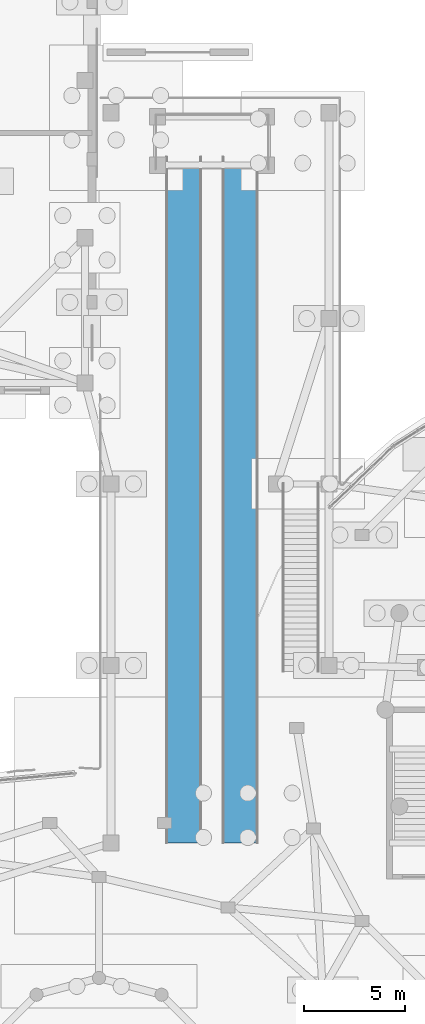
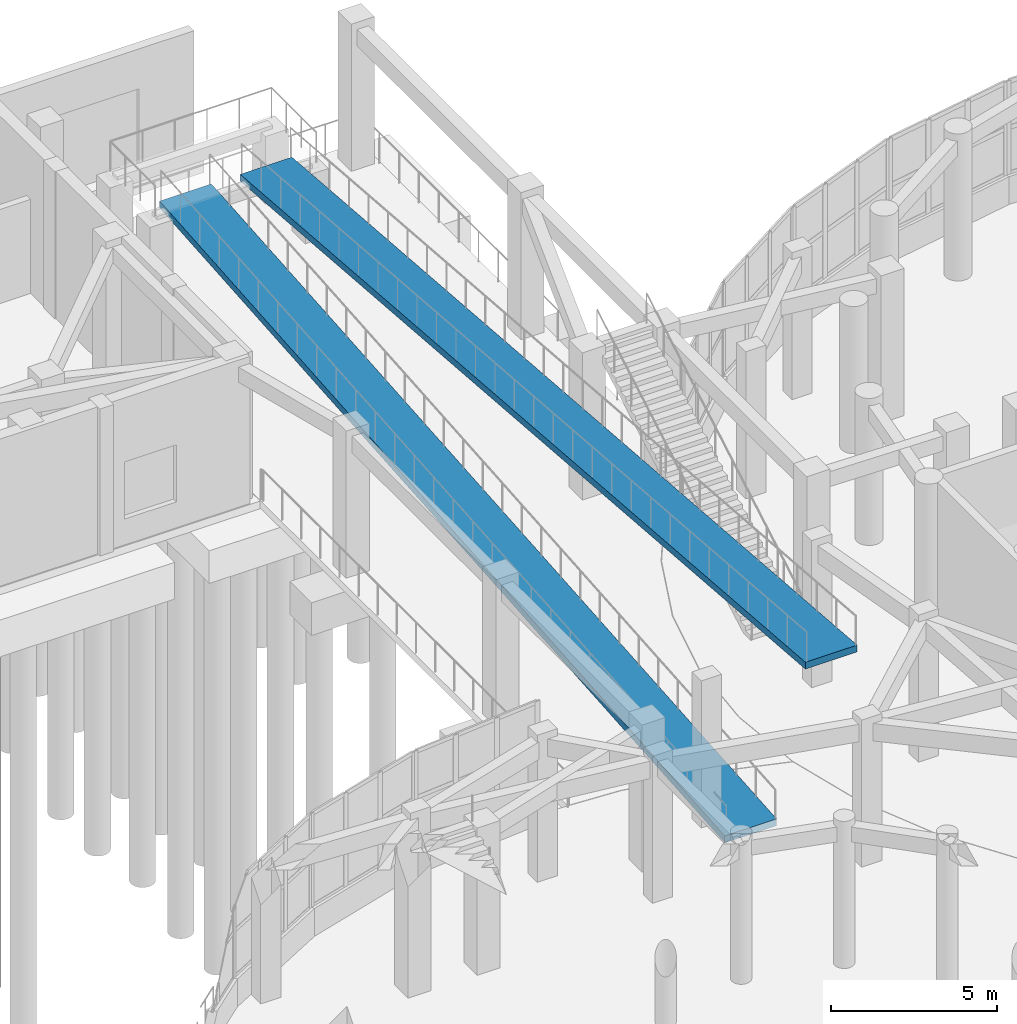
# One storey, part 81 of 96: 2 ramp flights, 2 elements without a shape of their own.
"""IFC4 building model written with IfcOpenShell, lengths in metres."""

import ifcopenshell
import ifcopenshell.guid

model = None  # the IFC model being written
_history = None  # IfcOwnerHistory: only IFC2X3 demands one
_inside = {}  # id of a spatial element -> (the spatial element, [elements in it])
_under = {}  # id of a project, library or spatial element -> (it, [spatial elements below it])
_declared = {}  # id of a project -> (the project, [libraries it declares])
_typed = {}  # id of a type object -> (the type object, [elements of that type])
_made_of = {}  # id of a material, layer set ... -> (it, [elements and type objects made of it])


def new_model(schema):
    """Start an empty IFC model of exactly this schema.

    Asked for "IFC4X3", IfcOpenShell would pick the latest addendum, in which some entities
    have other attributes; the version numbers below select the first issue.
    IFC2X3 requires an IfcOwnerHistory on every rooted entity: one is made here for all.
    """
    global model, _history
    if schema == "IFC4X3":
        model = ifcopenshell.file(schema_version=(4, 3, 0, 0))
    else:
        model = ifcopenshell.file(schema=schema)
    _inside.clear()
    _under.clear()
    _declared.clear()
    _typed.clear()
    _made_of.clear()
    _history = None
    if model.schema == "IFC2X3":
        org = make("IfcOrganization", Name="unknown")
        user = make(
            "IfcPersonAndOrganization",
            ThePerson=make("IfcPerson", FamilyName="unknown"),
            TheOrganization=org,
        )
        app = make(
            "IfcApplication",
            ApplicationDeveloper=org,
            Version="unknown",
            ApplicationFullName="unknown",
            ApplicationIdentifier="unknown",
        )
        _history = make(
            "IfcOwnerHistory",
            OwningUser=user,
            OwningApplication=app,
            ChangeAction="ADDED",
            CreationDate=0,
        )
    return model


def make(cls, **values):
    """One entity of the class cls with the attributes given. An attribute that is None is left unset."""
    return model.create_entity(
        cls, **{name: value for name, value in values.items() if value is not None}
    )


def rooted(cls, **values):
    """An entity with a GlobalId (a new one), such as an element, a storey or a relation."""
    return make(cls, GlobalId=ifcopenshell.guid.new(), OwnerHistory=_history, **values)


def si_unit(unit_type, name, prefix=None):
    """IfcSIUnit, for example si_unit("LENGTHUNIT", "METRE", prefix="MILLI")."""
    return make("IfcSIUnit", UnitType=unit_type, Prefix=prefix, Name=name)


def assignment(units):
    """IfcUnitAssignment: the units of a project."""
    return None if units is None else make("IfcUnitAssignment", Units=units)


def point(xyz):
    """IfcCartesianPoint."""
    return None if xyz is None else make("IfcCartesianPoint", Coordinates=xyz)


def direction(xyz):
    """IfcDirection."""
    return None if xyz is None else make("IfcDirection", DirectionRatios=xyz)


def frame(location, z_axis=None, x_axis=None):
    """IfcAxis2Placement3D, a coordinate frame: its origin and axes. An axis left out is left unset."""
    return make(
        "IfcAxis2Placement3D",
        Location=point(location),
        Axis=direction(z_axis),
        RefDirection=direction(x_axis),
    )


def origin():
    """The frame at (0, 0, 0) with its axes left unset."""
    return frame((0.0, 0.0, 0.0))


def place(relative_to, where):
    """IfcLocalPlacement: puts the frame where relative to a parent placement (None: the world)."""
    return make(
        "IfcLocalPlacement", PlacementRelTo=relative_to, RelativePlacement=where
    )


def context(
    kind, dimensions, precision=None, world=None, true_north=None, identifier=None
):
    """IfcGeometricRepresentationContext, for example the 3D "Model" context."""
    return make(
        "IfcGeometricRepresentationContext",
        ContextIdentifier=identifier,
        ContextType=kind,
        CoordinateSpaceDimension=dimensions,
        Precision=precision,
        WorldCoordinateSystem=world,
        TrueNorth=true_north,
    )


def subcontext(parent, identifier, kind, view, scale=None):
    """IfcGeometricRepresentationSubContext, for example "Body" below "Model"."""
    return make(
        "IfcGeometricRepresentationSubContext",
        ContextIdentifier=identifier,
        ContextType=kind,
        ParentContext=parent,
        TargetScale=scale,
        TargetView=view,
    )


def project(units=None, contexts=None):
    """IfcProject with its units and contexts."""
    return rooted(
        "IfcProject",
        Name="project",
        RepresentationContexts=contexts,
        UnitsInContext=assignment(units),
    )


def spatial(cls, under=None, at=None, **own):
    """A site, building, storey or space (cls), placed at a placement, below another one or the project."""
    s = rooted(cls, ObjectPlacement=at, **own)
    if under is not None:
        _under.setdefault(under.id(), (under, []))[1].append(s)
    return s


def polyline(points):
    """IfcPolyline through the points."""
    return make("IfcPolyline", Points=[point(p) for p in points])


def outline(outer, holes=None, kind="AREA"):
    """IfcArbitraryClosedProfileDef: a profile drawn as a closed curve; with holes, ...WithVoids."""
    if holes is None:
        return make("IfcArbitraryClosedProfileDef", ProfileType=kind, OuterCurve=outer)
    return make(
        "IfcArbitraryProfileDefWithVoids",
        ProfileType=kind,
        OuterCurve=outer,
        InnerCurves=holes,
    )


def extrude(swept, where, along, depth):
    """IfcExtrudedAreaSolid: the profile swept, set in the frame where, extruded along a direction by depth."""
    return make(
        "IfcExtrudedAreaSolid",
        SweptArea=swept,
        Position=where,
        ExtrudedDirection=direction(along),
        Depth=depth,
    )


def shape(context_of_items, identifier, shape_type, items):
    """IfcShapeRepresentation: the items that make up one representation, for example the "Body"."""
    return make(
        "IfcShapeRepresentation",
        ContextOfItems=context_of_items,
        RepresentationIdentifier=identifier,
        RepresentationType=shape_type,
        Items=items,
    )


def material(Name=None, Category=None):
    """IfcMaterial."""
    return make("IfcMaterial", Name=Name, Category=Category)


def made_of(thing, what):
    """Note that an element or type object is made of a material, layer set ...; save() writes the relation."""
    if what is not None:
        _made_of.setdefault(what.id(), (what, []))[1].append(thing)
    return thing


def element(
    cls,
    number,
    at=None,
    inside=None,
    cuts=None,
    type_object=None,
    material=None,
    context=None,
    identifier="Body",
    shape_type=None,
    held_by="IfcProductDefinitionShape",
    body=None,
    shapes=None,
    **own,
):
    """One element of the class cls, such as IfcWall. Its Tag is "e" and its number.

    at: its placement. inside: the storey or other place that contains it. cuts: it is an
    opening in that element (IfcRelVoidsElement). A single representation is given by context,
    identifier, shape_type and body (its items); several are given by shapes. held_by: the class
    of the entity that holds the representations. save() writes the other relations.
    """
    e = rooted(cls, Tag="e%d" % number, ObjectPlacement=at, **own)
    if body is not None:
        shapes = [shape(context, identifier, shape_type, body)]
    if shapes is not None:
        e.Representation = make(held_by, Representations=shapes)
    if inside is not None:
        _inside.setdefault(inside.id(), (inside, []))[1].append(e)
    if cuts is not None:
        rooted(
            "IfcRelVoidsElement", RelatingBuildingElement=cuts, RelatedOpeningElement=e
        )
    if type_object is not None:
        _typed.setdefault(type_object.id(), (type_object, []))[1].append(e)
    return made_of(e, material)


def aggregate(whole, parts):
    """IfcRelAggregates: a whole, such as a stair, and the parts it consists of."""
    return rooted("IfcRelAggregates", RelatingObject=whole, RelatedObjects=parts)


def save(model, path):
    """Write the relations noted so far, then the file.

    IfcRelAggregates (storeys below a building ...), IfcRelContainedInSpatialStructure (elements
    in a storey), IfcRelDefinesByType, IfcRelAssociatesMaterial and IfcRelDeclares: one each for
    every whole, place, type object, material and project.
    """
    for whole, parts in _under.values():
        aggregate(whole, parts)
    for where, things in _inside.values():
        rooted(
            "IfcRelContainedInSpatialStructure",
            RelatedElements=things,
            RelatingStructure=where,
        )
    for kind, things in _typed.values():
        rooted("IfcRelDefinesByType", RelatedObjects=things, RelatingType=kind)
    for what, things in _made_of.values():
        rooted("IfcRelAssociatesMaterial", RelatedObjects=things, RelatingMaterial=what)
    for by, libraries in _declared.values():
        rooted("IfcRelDeclares", RelatingContext=by, RelatedDefinitions=libraries)
    model.write(path)


model = new_model("IFC4")

# Units and contexts
model_context = context("Model", 3, precision=1e-05, world=origin(), true_north=direction((0.0, 1.0)))
body_context = subcontext(model_context, "Body", "Model", "MODEL_VIEW")
ifc_project = project(units=[si_unit("LENGTHUNIT", "METRE"), si_unit("AREAUNIT", "SQUARE_METRE"), si_unit("VOLUMEUNIT", "CUBIC_METRE"), si_unit("PLANEANGLEUNIT", "RADIAN"), si_unit("MASSUNIT", "GRAM", prefix="KILO")], contexts=[model_context])

# Site, building, storey
site_placement = place(None, origin())
site = spatial("IfcSite", under=ifc_project, at=site_placement, CompositionType="ELEMENT")
building_placement = place(site_placement, origin())
building = spatial("IfcBuilding", under=site, at=building_placement, Name="Pelvatis Terrace Science Centre", CompositionType="ELEMENT")
storey_placement = place(building_placement, origin())
storey = spatial("IfcBuildingStorey", under=building, at=storey_placement, Name="L00", CompositionType="ELEMENT", Elevation=0.0)

# Ramp, ramp flight
ifc_material = material(Name="Concrete C35/45", Category="concrete")
ramp_1_placement = place(storey_placement, origin())
ramp_1 = element("IfcRamp", 1, at=ramp_1_placement, inside=storey, material=ifc_material, Name="Accessible Hillside Terrace Ramp RMP-P1", PredefinedType="STRAIGHT_RUN_RAMP")
ramp_flight_1_placement = place(storey_placement, frame((51.0, 48.0, 0.0), z_axis=(0.0, 0.0, 1.0), x_axis=(0.0, 1.0, 0.0)))
ramp_flight_1 = element("IfcRampFlight", 2, at=ramp_flight_1_placement, material=ifc_material, Name="Accessible Hillside Terrace Ramp RMP-P1 Flight 1", PredefinedType="STRAIGHT", context=body_context, shape_type="SweptSolid", body=[
    extrude(outline(polyline([(0.0, 0.0), (34.0, 2.699951171875), (34.0, 2.449951171875), (0.0, -0.25), (0.0, 0.0)])), frame((0.0, 0.89990234375, 0.0), z_axis=(0.0, -1.0, 0.0), x_axis=(1.0, 0.0, 0.0)), (0.0, 0.0, 1.0), 1.800048828125),
])
aggregate(ramp_1, [ramp_flight_1])

ramp_2_placement = place(storey_placement, origin())
ramp_2 = element("IfcRamp", 3, at=ramp_2_placement, inside=storey, material=ifc_material, Name="Accessible Hillside Terrace Ramp RMP-P2", PredefinedType="STRAIGHT_RUN_RAMP")
ramp_flight_2_placement = place(storey_placement, frame((53.800048828125, 82.0, 2.699951171875), z_axis=(0.0, 0.0, 1.0), x_axis=(0.0, -1.0, 0.0)))
ramp_flight_2 = element("IfcRampFlight", 4, at=ramp_flight_2_placement, material=ifc_material, Name="Accessible Hillside Terrace Ramp RMP-P2 Flight 1", PredefinedType="STRAIGHT", context=body_context, shape_type="SweptSolid", body=[
    extrude(outline(polyline([(0.0, 0.0), (34.0, 2.699951171875), (34.0, 2.449951171875), (0.0, -0.25), (0.0, 0.0)])), frame((0.0, 0.89990234375, 0.0), z_axis=(0.0, -1.0, 0.0), x_axis=(1.0, 0.0, 0.0)), (0.0, 0.0, 1.0), 1.800048828125),
])
aggregate(ramp_2, [ramp_flight_2])

save(model, "model.ifc")
